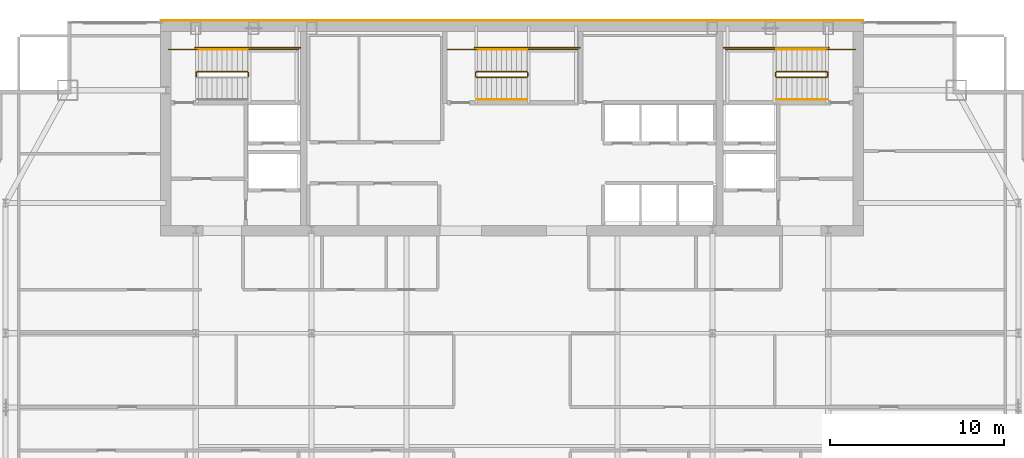
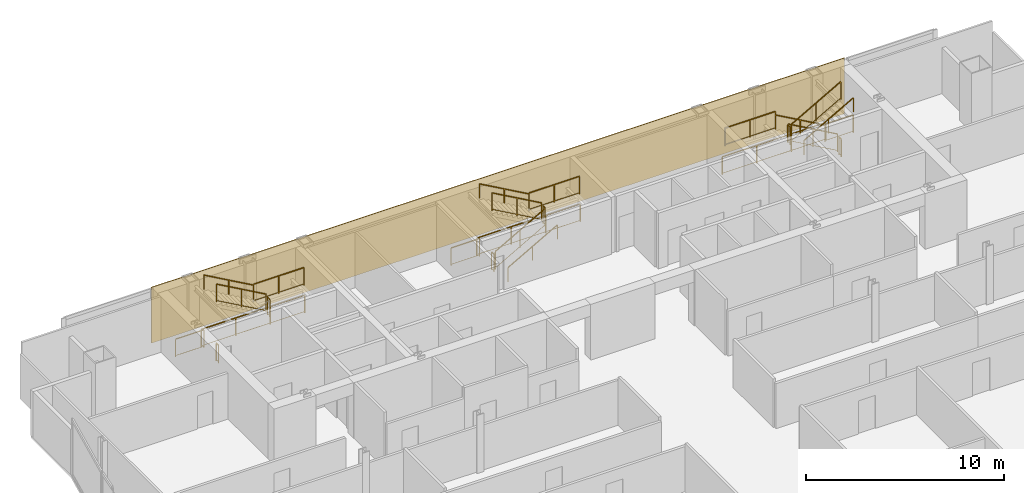
# One storey, part 30 of 30: 25 railings, 1 covering.
"""IFC4 building model written with IfcOpenShell, lengths in metres."""

from ifc_helpers import new_model, si_unit, direction, frame, origin, origin_2d, place, context, subcontext, project, spatial, polyline, rectangle, outline, extrude, material, layer, layer_set, type_object, element, save


model = new_model("IFC4")

# Units and contexts
model_context = context("Model", 3, precision=1e-05, world=origin(), true_north=direction((0.0, 1.0)))
body_context = subcontext(model_context, "Body", "Model", "MODEL_VIEW")
ifc_project = project(units=[si_unit("LENGTHUNIT", "METRE"), si_unit("AREAUNIT", "SQUARE_METRE"), si_unit("VOLUMEUNIT", "CUBIC_METRE"), si_unit("PLANEANGLEUNIT", "RADIAN"), si_unit("MASSUNIT", "GRAM", prefix="KILO")], contexts=[model_context])

# Site, building, storey
site_placement = place(None, origin())
site = spatial("IfcSite", under=ifc_project, at=site_placement, CompositionType="ELEMENT")
building_placement = place(site_placement, origin())
building = spatial("IfcBuilding", under=site, at=building_placement, Name="Khoronbel Lancet Exchange", CompositionType="ELEMENT")
storey_placement = place(building_placement, frame((0.0, 0.0, 217.39990234375)))
storey = spatial("IfcBuildingStorey", under=building, at=storey_placement, Name="L55", CompositionType="ELEMENT", Elevation=217.39990234375)

# Covering
ifc_material_1 = material(Name="Honed Egyptian Limestone & Bronze Rainscreen", Category="masonry")
ifc_layer = layer(ifc_material_1, 0.050048828125, Name="Honed Egyptian Limestone & Bronze Rainscreen")
ifc_layer_set = layer_set([ifc_layer], Name="Honed Egyptian Limestone & Bronze Rainscreen")
covering_type = type_object("IfcCoveringType", Name="COV-CLAD1", PredefinedType="CLADDING", material=ifc_layer_set)
covering_placement = place(storey_placement, origin())
element("IfcCovering", 1, at=covering_placement, inside=storey, type_object=covering_type, Name="Level L55 north rear-core stone and bronze rainscreen cladding", PredefinedType="CLADDING", context=body_context, shape_type="SweptSolid", body=[
    extrude(outline(polyline([(16.199951171875, 53.699951171875), (56.699951171875, 53.699951171875), (56.699951171875, 53.75), (16.199951171875, 53.75), (16.199951171875, 53.699951171875)])), origin(), (0.0, 0.0, 1.0), 3.440185546875),
])

# Railings
ifc_material_2 = material(Name="Painted Steel Balustrade", Category="steel")
railing_type_1 = type_object("IfcRailingType", Name="RL-STG110", PredefinedType="GUARDRAIL", material=ifc_material_2)
railing_1_placement = place(storey_placement, frame((21.25, 50.5, 1.800048828125)))
element("IfcRailing", 2, at=railing_1_placement, inside=storey, type_object=railing_type_1, Name="L55 ST1 stair guard 2", PredefinedType="GUARDRAIL", context=body_context, shape_type="SweptSolid", body=[
    extrude(rectangle(XDim=0.048095703125, YDim=0.048095703125, at=origin_2d()), frame((0.0, 0.0, 1.09619140625), z_axis=(0.0, 1.0, 0.0), x_axis=(-1.0, 0.0, 0.0)), (0.0, 0.0, 1.0), 0.219970703125),
    extrude(rectangle(XDim=0.02392578125, YDim=0.02392578125, at=origin_2d()), frame((0.0, 0.0, 0.080078125), z_axis=(0.0, 1.0, 0.0), x_axis=(-1.0, 0.0, 0.0)), (0.0, 0.0, 1.0), 0.219970703125),
    extrude(rectangle(XDim=0.0419921875, YDim=0.0419921875, at=origin_2d()), origin(), (0.0, 0.0, 1.0), 1.072021484375),
    extrude(rectangle(XDim=0.0419921875, YDim=0.0419921875, at=origin_2d()), frame((0.0, 0.219970703125, 0.0)), (0.0, 0.0, 1.0), 1.072021484375),
])
railing_2_placement = place(storey_placement, frame((21.199951171875, 52.050048828125, 1.800048828125)))
element("IfcRailing", 3, at=railing_2_placement, inside=storey, type_object=railing_type_1, Name="L55 ST1 stair guard 3", PredefinedType="GUARDRAIL", context=body_context, shape_type="SweptSolid", body=[
    extrude(rectangle(XDim=0.048095703125, YDim=0.048095703125, at=origin_2d()), frame((0.0, 0.0, 1.09619140625), z_axis=(1.0, 0.0, 0.0), x_axis=(0.0, 1.0, 0.0)), (0.0, 0.0, 1.0), 2.949951171875),
    extrude(rectangle(XDim=0.02392578125, YDim=0.02392578125, at=origin_2d()), frame((0.0, 0.0, 0.080078125), z_axis=(1.0, 0.0, 0.0), x_axis=(0.0, 1.0, 0.0)), (0.0, 0.0, 1.0), 2.949951171875),
    extrude(rectangle(XDim=0.0419921875, YDim=0.0419921875, at=origin_2d()), origin(), (0.0, 0.0, 1.0), 1.072021484375),
    extrude(rectangle(XDim=0.0419921875, YDim=0.0419921875, at=origin_2d()), frame((1.47509765625, 0.0, 0.0)), (0.0, 0.0, 1.0), 1.072021484375),
    extrude(rectangle(XDim=0.0419921875, YDim=0.0419921875, at=origin_2d()), frame((2.949951171875, 0.0, 0.0)), (0.0, 0.0, 1.0), 1.072021484375),
])
railing_3_placement = place(storey_placement, frame((21.199951171875, 50.77001953125, 1.963623046875)))
element("IfcRailing", 4, at=railing_3_placement, inside=storey, type_object=railing_type_1, Name="L55 ST1 stair guard 4", PredefinedType="GUARDRAIL", context=body_context, shape_type="SweptSolid", body=[
    extrude(rectangle(XDim=0.048095703125, YDim=0.048095703125, at=origin_2d()), frame((0.0, 0.0, 1.09619140625), z_axis=(-0.870897200241, 0.0, 0.491465224214), x_axis=(0.0, -1.0, 0.0)), (0.0, 0.0, 1.0), 3.329833984375),
    extrude(rectangle(XDim=0.02392578125, YDim=0.02392578125, at=origin_2d()), frame((0.0, 0.0, 0.080078125), z_axis=(-0.870897200241, 0.0, 0.491465224214), x_axis=(0.0, -1.0, 0.0)), (0.0, 0.0, 1.0), 3.329833984375),
    extrude(rectangle(XDim=0.0419921875, YDim=0.0419921875, at=origin_2d()), origin(), (0.0, 0.0, 1.0), 1.072021484375),
    extrude(rectangle(XDim=0.0419921875, YDim=0.0419921875, at=origin_2d()), frame((-1.449951171875, 0.0, 0.818359375)), (0.0, 0.0, 1.0), 1.072021484375),
    extrude(rectangle(XDim=0.0419921875, YDim=0.0419921875, at=origin_2d()), frame((-2.89990234375, 0.0, 1.636474609375)), (0.0, 0.0, 1.0), 1.072021484375),
])
railing_4_placement = place(storey_placement, frame((18.25, 50.5, 0.0)))
element("IfcRailing", 5, at=railing_4_placement, inside=storey, type_object=railing_type_1, Name="L55 ST1 stair guard 5", PredefinedType="GUARDRAIL", context=body_context, shape_type="SweptSolid", body=[
    extrude(rectangle(XDim=0.048095703125, YDim=0.048095703125, at=origin_2d()), frame((0.0, 0.0, 1.09619140625), z_axis=(0.0, 1.0, 0.0), x_axis=(-1.0, 0.0, 0.0)), (0.0, 0.0, 1.0), 0.219970703125),
    extrude(rectangle(XDim=0.02392578125, YDim=0.02392578125, at=origin_2d()), frame((0.0, 0.0, 0.080078125), z_axis=(0.0, 1.0, 0.0), x_axis=(-1.0, 0.0, 0.0)), (0.0, 0.0, 1.0), 0.219970703125),
    extrude(rectangle(XDim=0.0419921875, YDim=0.0419921875, at=origin_2d()), origin(), (0.0, 0.0, 1.0), 1.072021484375),
    extrude(rectangle(XDim=0.0419921875, YDim=0.0419921875, at=origin_2d()), frame((0.0, 0.219970703125, 0.0)), (0.0, 0.0, 1.0), 1.072021484375),
])
railing_5_placement = place(storey_placement, frame((16.64990234375, 52.050048828125, 0.0)))
element("IfcRailing", 6, at=railing_5_placement, inside=storey, type_object=railing_type_1, Name="L55 ST1 stair guard 6", PredefinedType="GUARDRAIL", context=body_context, shape_type="SweptSolid", body=[
    extrude(rectangle(XDim=0.048095703125, YDim=0.048095703125, at=origin_2d()), frame((0.0, 0.0, 1.09619140625), z_axis=(1.0, 0.0, 0.0), x_axis=(0.0, 1.0, 0.0)), (0.0, 0.0, 1.0), 1.650146484375),
    extrude(rectangle(XDim=0.02392578125, YDim=0.02392578125, at=origin_2d()), frame((0.0, 0.0, 0.080078125), z_axis=(1.0, 0.0, 0.0), x_axis=(0.0, 1.0, 0.0)), (0.0, 0.0, 1.0), 1.650146484375),
    extrude(rectangle(XDim=0.0419921875, YDim=0.0419921875, at=origin_2d()), origin(), (0.0, 0.0, 1.0), 1.072021484375),
    extrude(rectangle(XDim=0.0419921875, YDim=0.0419921875, at=origin_2d()), frame((1.650146484375, 0.0, 0.0)), (0.0, 0.0, 1.0), 1.072021484375),
])
railing_6_placement = place(storey_placement, frame((18.199951171875, 52.14990234375, 0.0)))
element("IfcRailing", 7, at=railing_6_placement, inside=storey, type_object=railing_type_1, Name="L55 ST1 stair guard 7", PredefinedType="GUARDRAIL", context=body_context, shape_type="SweptSolid", body=[
    extrude(rectangle(XDim=0.048095703125, YDim=0.048095703125, at=origin_2d()), frame((0.0, 0.0, 1.09619140625), z_axis=(1.0, 0.0, 0.0), x_axis=(0.0, 1.0, 0.0)), (0.0, 0.0, 1.0), 6.050048828125),
    extrude(rectangle(XDim=0.02392578125, YDim=0.02392578125, at=origin_2d()), frame((0.0, 0.0, 0.080078125), z_axis=(1.0, 0.0, 0.0), x_axis=(0.0, 1.0, 0.0)), (0.0, 0.0, 1.0), 6.050048828125),
    extrude(rectangle(XDim=0.0419921875, YDim=0.0419921875, at=origin_2d()), origin(), (0.0, 0.0, 1.0), 1.072021484375),
    extrude(rectangle(XDim=0.0419921875, YDim=0.0419921875, at=origin_2d()), frame((2.0166015625, 0.0, 0.0)), (0.0, 0.0, 1.0), 1.072021484375),
    extrude(rectangle(XDim=0.0419921875, YDim=0.0419921875, at=origin_2d()), frame((4.033447265625, 0.0, 0.0)), (0.0, 0.0, 1.0), 1.072021484375),
    extrude(rectangle(XDim=0.0419921875, YDim=0.0419921875, at=origin_2d()), frame((6.050048828125, 0.0, 0.0)), (0.0, 0.0, 1.0), 1.072021484375),
])
railing_7_placement = place(storey_placement, frame((54.60009765625, 50.77001953125, 0.163818359375)))
element("IfcRailing", 8, at=railing_7_placement, inside=storey, type_object=railing_type_1, Name="L55 ST2 stair guard 1", PredefinedType="GUARDRAIL", context=body_context, shape_type="SweptSolid", body=[
    extrude(rectangle(XDim=0.048095703125, YDim=0.048095703125, at=origin_2d()), frame((0.0, 0.0, 1.09619140625), z_axis=(-0.870946286338, 0.0, 0.49137823142), x_axis=(0.0, -1.0, 0.0)), (0.0, 0.0, 1.0), 3.329833984375),
    extrude(rectangle(XDim=0.02392578125, YDim=0.02392578125, at=origin_2d()), frame((0.0, 0.0, 0.080078125), z_axis=(-0.870946286338, 0.0, 0.49137823142), x_axis=(0.0, -1.0, 0.0)), (0.0, 0.0, 1.0), 3.329833984375),
    extrude(rectangle(XDim=0.0419921875, YDim=0.0419921875, at=origin_2d()), origin(), (0.0, 0.0, 1.0), 1.072021484375),
    extrude(rectangle(XDim=0.0419921875, YDim=0.0419921875, at=origin_2d()), frame((-1.4501953125, 0.0, 0.818115234375)), (0.0, 0.0, 1.0), 1.072021484375),
    extrude(rectangle(XDim=0.0419921875, YDim=0.0419921875, at=origin_2d()), frame((-2.900146484375, 0.0, 1.63623046875)), (0.0, 0.0, 1.0), 1.072021484375),
])
railing_8_placement = place(storey_placement, frame((51.64990234375, 50.719970703125, 1.800048828125)))
element("IfcRailing", 9, at=railing_8_placement, inside=storey, type_object=railing_type_1, Name="L55 ST2 stair guard 2", PredefinedType="GUARDRAIL", context=body_context, shape_type="SweptSolid", body=[
    extrude(rectangle(XDim=0.048095703125, YDim=0.048095703125, at=origin_2d()), frame((0.0, 0.0, 1.09619140625), z_axis=(0.0, -1.0, 0.0), x_axis=(1.0, 0.0, 0.0)), (0.0, 0.0, 1.0), 0.219970703125),
    extrude(rectangle(XDim=0.02392578125, YDim=0.02392578125, at=origin_2d()), frame((0.0, 0.0, 0.080078125), z_axis=(0.0, -1.0, 0.0), x_axis=(1.0, 0.0, 0.0)), (0.0, 0.0, 1.0), 0.219970703125),
    extrude(rectangle(XDim=0.0419921875, YDim=0.0419921875, at=origin_2d()), origin(), (0.0, 0.0, 1.0), 1.072021484375),
    extrude(rectangle(XDim=0.0419921875, YDim=0.0419921875, at=origin_2d()), frame((0.0, -0.219970703125, 0.0)), (0.0, 0.0, 1.0), 1.072021484375),
])
railing_9_placement = place(storey_placement, frame((51.699951171875, 52.050048828125, 1.800048828125)))
element("IfcRailing", 10, at=railing_9_placement, inside=storey, type_object=railing_type_1, Name="L55 ST2 stair guard 3", PredefinedType="GUARDRAIL", context=body_context, shape_type="SweptSolid", body=[
    extrude(rectangle(XDim=0.048095703125, YDim=0.048095703125, at=origin_2d()), frame((0.0, 0.0, 1.09619140625), z_axis=(-1.0, 0.0, 0.0), x_axis=(0.0, -1.0, 0.0)), (0.0, 0.0, 1.0), 2.949951171875),
    extrude(rectangle(XDim=0.02392578125, YDim=0.02392578125, at=origin_2d()), frame((0.0, 0.0, 0.080078125), z_axis=(-1.0, 0.0, 0.0), x_axis=(0.0, -1.0, 0.0)), (0.0, 0.0, 1.0), 2.949951171875),
    extrude(rectangle(XDim=0.0419921875, YDim=0.0419921875, at=origin_2d()), origin(), (0.0, 0.0, 1.0), 1.072021484375),
    extrude(rectangle(XDim=0.0419921875, YDim=0.0419921875, at=origin_2d()), frame((-1.47509765625, 0.0, 0.0)), (0.0, 0.0, 1.0), 1.072021484375),
    extrude(rectangle(XDim=0.0419921875, YDim=0.0419921875, at=origin_2d()), frame((-2.949951171875, 0.0, 0.0)), (0.0, 0.0, 1.0), 1.072021484375),
])
railing_10_placement = place(storey_placement, frame((51.699951171875, 50.449951171875, 1.963623046875)))
element("IfcRailing", 11, at=railing_10_placement, inside=storey, type_object=railing_type_1, Name="L55 ST2 stair guard 4", PredefinedType="GUARDRAIL", context=body_context, shape_type="SweptSolid", body=[
    extrude(rectangle(XDim=0.048095703125, YDim=0.048095703125, at=origin_2d()), frame((0.0, 0.0, 1.09619140625), z_axis=(0.870914908162, 0.0, 0.491433843708), x_axis=(0.0, 1.0, 0.0)), (0.0, 0.0, 1.0), 3.330078125),
    extrude(rectangle(XDim=0.02392578125, YDim=0.02392578125, at=origin_2d()), frame((0.0, 0.0, 0.080078125), z_axis=(0.870914908162, 0.0, 0.491433843708), x_axis=(0.0, 1.0, 0.0)), (0.0, 0.0, 1.0), 3.330078125),
    extrude(rectangle(XDim=0.0419921875, YDim=0.0419921875, at=origin_2d()), origin(), (0.0, 0.0, 1.0), 1.072021484375),
    extrude(rectangle(XDim=0.0419921875, YDim=0.0419921875, at=origin_2d()), frame((1.4501953125, 0.0, 0.818359375)), (0.0, 0.0, 1.0), 1.072021484375),
    extrude(rectangle(XDim=0.0419921875, YDim=0.0419921875, at=origin_2d()), frame((2.900146484375, 0.0, 1.636474609375)), (0.0, 0.0, 1.0), 1.072021484375),
])
railing_11_placement = place(storey_placement, frame((54.64990234375, 50.719970703125, 0.0)))
element("IfcRailing", 12, at=railing_11_placement, inside=storey, type_object=railing_type_1, Name="L55 ST2 stair guard 5", PredefinedType="GUARDRAIL", context=body_context, shape_type="SweptSolid", body=[
    extrude(rectangle(XDim=0.048095703125, YDim=0.048095703125, at=origin_2d()), frame((0.0, 0.0, 1.09619140625), z_axis=(0.0, -1.0, 0.0), x_axis=(1.0, 0.0, 0.0)), (0.0, 0.0, 1.0), 0.219970703125),
    extrude(rectangle(XDim=0.02392578125, YDim=0.02392578125, at=origin_2d()), frame((0.0, 0.0, 0.080078125), z_axis=(0.0, -1.0, 0.0), x_axis=(1.0, 0.0, 0.0)), (0.0, 0.0, 1.0), 0.219970703125),
    extrude(rectangle(XDim=0.0419921875, YDim=0.0419921875, at=origin_2d()), origin(), (0.0, 0.0, 1.0), 1.072021484375),
    extrude(rectangle(XDim=0.0419921875, YDim=0.0419921875, at=origin_2d()), frame((0.0, -0.219970703125, 0.0)), (0.0, 0.0, 1.0), 1.072021484375),
])
railing_12_placement = place(storey_placement, frame((56.25, 52.050048828125, 0.0)))
element("IfcRailing", 13, at=railing_12_placement, inside=storey, type_object=railing_type_1, Name="L55 ST2 stair guard 6", PredefinedType="GUARDRAIL", context=body_context, shape_type="SweptSolid", body=[
    extrude(rectangle(XDim=0.048095703125, YDim=0.048095703125, at=origin_2d()), frame((0.0, 0.0, 1.09619140625), z_axis=(-1.0, 0.0, 0.0), x_axis=(0.0, -1.0, 0.0)), (0.0, 0.0, 1.0), 1.64990234375),
    extrude(rectangle(XDim=0.02392578125, YDim=0.02392578125, at=origin_2d()), frame((0.0, 0.0, 0.080078125), z_axis=(-1.0, 0.0, 0.0), x_axis=(0.0, -1.0, 0.0)), (0.0, 0.0, 1.0), 1.64990234375),
    extrude(rectangle(XDim=0.0419921875, YDim=0.0419921875, at=origin_2d()), origin(), (0.0, 0.0, 1.0), 1.072021484375),
    extrude(rectangle(XDim=0.0419921875, YDim=0.0419921875, at=origin_2d()), frame((-1.64990234375, 0.0, 0.0)), (0.0, 0.0, 1.0), 1.072021484375),
])
railing_13_placement = place(storey_placement, frame((54.699951171875, 52.14990234375, 0.0)))
element("IfcRailing", 14, at=railing_13_placement, inside=storey, type_object=railing_type_1, Name="L55 ST2 stair guard 7", PredefinedType="GUARDRAIL", context=body_context, shape_type="SweptSolid", body=[
    extrude(rectangle(XDim=0.048095703125, YDim=0.048095703125, at=origin_2d()), frame((0.0, 0.0, 1.09619140625), z_axis=(-1.0, 0.0, 0.0), x_axis=(0.0, -1.0, 0.0)), (0.0, 0.0, 1.0), 6.050048828125),
    extrude(rectangle(XDim=0.02392578125, YDim=0.02392578125, at=origin_2d()), frame((0.0, 0.0, 0.080078125), z_axis=(-1.0, 0.0, 0.0), x_axis=(0.0, -1.0, 0.0)), (0.0, 0.0, 1.0), 6.050048828125),
    extrude(rectangle(XDim=0.0419921875, YDim=0.0419921875, at=origin_2d()), origin(), (0.0, 0.0, 1.0), 1.072021484375),
    extrude(rectangle(XDim=0.0419921875, YDim=0.0419921875, at=origin_2d()), frame((-2.0166015625, 0.0, 0.0)), (0.0, 0.0, 1.0), 1.072021484375),
    extrude(rectangle(XDim=0.0419921875, YDim=0.0419921875, at=origin_2d()), frame((-4.033447265625, 0.0, 0.0)), (0.0, 0.0, 1.0), 1.072021484375),
    extrude(rectangle(XDim=0.0419921875, YDim=0.0419921875, at=origin_2d()), frame((-6.050048828125, 0.0, 0.0)), (0.0, 0.0, 1.0), 1.072021484375),
])
railing_14_placement = place(storey_placement, frame((34.39990234375, 50.449951171875, 0.163818359375)))
element("IfcRailing", 15, at=railing_14_placement, inside=storey, type_object=railing_type_1, Name="L55 ST3 stair guard 1", PredefinedType="GUARDRAIL", context=body_context, shape_type="SweptSolid", body=[
    extrude(rectangle(XDim=0.048095703125, YDim=0.048095703125, at=origin_2d()), frame((0.0, 0.0, 1.09619140625), z_axis=(0.870946286338, 0.0, 0.49137823142), x_axis=(0.0, 1.0, 0.0)), (0.0, 0.0, 1.0), 3.329833984375),
    extrude(rectangle(XDim=0.02392578125, YDim=0.02392578125, at=origin_2d()), frame((0.0, 0.0, 0.080078125), z_axis=(0.870946286338, 0.0, 0.49137823142), x_axis=(0.0, 1.0, 0.0)), (0.0, 0.0, 1.0), 3.329833984375),
    extrude(rectangle(XDim=0.0419921875, YDim=0.0419921875, at=origin_2d()), origin(), (0.0, 0.0, 1.0), 1.072021484375),
    extrude(rectangle(XDim=0.0419921875, YDim=0.0419921875, at=origin_2d()), frame((1.4501953125, 0.0, 0.818115234375)), (0.0, 0.0, 1.0), 1.072021484375),
    extrude(rectangle(XDim=0.0419921875, YDim=0.0419921875, at=origin_2d()), frame((2.900146484375, 0.0, 1.63623046875)), (0.0, 0.0, 1.0), 1.072021484375),
])
railing_15_placement = place(storey_placement, frame((37.35009765625, 50.5, 1.800048828125)))
element("IfcRailing", 16, at=railing_15_placement, inside=storey, type_object=railing_type_1, Name="L55 ST3 stair guard 2", PredefinedType="GUARDRAIL", context=body_context, shape_type="SweptSolid", body=[
    extrude(rectangle(XDim=0.048095703125, YDim=0.048095703125, at=origin_2d()), frame((0.0, 0.0, 1.09619140625), z_axis=(0.0, 1.0, 0.0), x_axis=(-1.0, 0.0, 0.0)), (0.0, 0.0, 1.0), 0.219970703125),
    extrude(rectangle(XDim=0.02392578125, YDim=0.02392578125, at=origin_2d()), frame((0.0, 0.0, 0.080078125), z_axis=(0.0, 1.0, 0.0), x_axis=(-1.0, 0.0, 0.0)), (0.0, 0.0, 1.0), 0.219970703125),
    extrude(rectangle(XDim=0.0419921875, YDim=0.0419921875, at=origin_2d()), origin(), (0.0, 0.0, 1.0), 1.072021484375),
    extrude(rectangle(XDim=0.0419921875, YDim=0.0419921875, at=origin_2d()), frame((0.0, 0.219970703125, 0.0)), (0.0, 0.0, 1.0), 1.072021484375),
])
railing_16_placement = place(storey_placement, frame((37.300048828125, 52.050048828125, 1.800048828125)))
element("IfcRailing", 17, at=railing_16_placement, inside=storey, type_object=railing_type_1, Name="L55 ST3 stair guard 3", PredefinedType="GUARDRAIL", context=body_context, shape_type="SweptSolid", body=[
    extrude(rectangle(XDim=0.048095703125, YDim=0.048095703125, at=origin_2d()), frame((0.0, 0.0, 1.09619140625), z_axis=(1.0, 0.0, 0.0), x_axis=(0.0, 1.0, 0.0)), (0.0, 0.0, 1.0), 2.949951171875),
    extrude(rectangle(XDim=0.02392578125, YDim=0.02392578125, at=origin_2d()), frame((0.0, 0.0, 0.080078125), z_axis=(1.0, 0.0, 0.0), x_axis=(0.0, 1.0, 0.0)), (0.0, 0.0, 1.0), 2.949951171875),
    extrude(rectangle(XDim=0.0419921875, YDim=0.0419921875, at=origin_2d()), origin(), (0.0, 0.0, 1.0), 1.072021484375),
    extrude(rectangle(XDim=0.0419921875, YDim=0.0419921875, at=origin_2d()), frame((1.47509765625, 0.0, 0.0)), (0.0, 0.0, 1.0), 1.072021484375),
    extrude(rectangle(XDim=0.0419921875, YDim=0.0419921875, at=origin_2d()), frame((2.949951171875, 0.0, 0.0)), (0.0, 0.0, 1.0), 1.072021484375),
])
railing_17_placement = place(storey_placement, frame((37.300048828125, 50.77001953125, 1.963623046875)))
element("IfcRailing", 18, at=railing_17_placement, inside=storey, type_object=railing_type_1, Name="L55 ST3 stair guard 4", PredefinedType="GUARDRAIL", context=body_context, shape_type="SweptSolid", body=[
    extrude(rectangle(XDim=0.048095703125, YDim=0.048095703125, at=origin_2d()), frame((0.0, 0.0, 1.09619140625), z_axis=(-0.870914908162, 0.0, 0.491433843708), x_axis=(0.0, -1.0, 0.0)), (0.0, 0.0, 1.0), 3.330078125),
    extrude(rectangle(XDim=0.02392578125, YDim=0.02392578125, at=origin_2d()), frame((0.0, 0.0, 0.080078125), z_axis=(-0.870914908162, 0.0, 0.491433843708), x_axis=(0.0, -1.0, 0.0)), (0.0, 0.0, 1.0), 3.330078125),
    extrude(rectangle(XDim=0.0419921875, YDim=0.0419921875, at=origin_2d()), origin(), (0.0, 0.0, 1.0), 1.072021484375),
    extrude(rectangle(XDim=0.0419921875, YDim=0.0419921875, at=origin_2d()), frame((-1.4501953125, 0.0, 0.818359375)), (0.0, 0.0, 1.0), 1.072021484375),
    extrude(rectangle(XDim=0.0419921875, YDim=0.0419921875, at=origin_2d()), frame((-2.900146484375, 0.0, 1.636474609375)), (0.0, 0.0, 1.0), 1.072021484375),
])
railing_18_placement = place(storey_placement, frame((34.35009765625, 50.5, 0.0)))
element("IfcRailing", 19, at=railing_18_placement, inside=storey, type_object=railing_type_1, Name="L55 ST3 stair guard 5", PredefinedType="GUARDRAIL", context=body_context, shape_type="SweptSolid", body=[
    extrude(rectangle(XDim=0.048095703125, YDim=0.048095703125, at=origin_2d()), frame((0.0, 0.0, 1.09619140625), z_axis=(0.0, 1.0, 0.0), x_axis=(-1.0, 0.0, 0.0)), (0.0, 0.0, 1.0), 0.219970703125),
    extrude(rectangle(XDim=0.02392578125, YDim=0.02392578125, at=origin_2d()), frame((0.0, 0.0, 0.080078125), z_axis=(0.0, 1.0, 0.0), x_axis=(-1.0, 0.0, 0.0)), (0.0, 0.0, 1.0), 0.219970703125),
    extrude(rectangle(XDim=0.0419921875, YDim=0.0419921875, at=origin_2d()), origin(), (0.0, 0.0, 1.0), 1.072021484375),
    extrude(rectangle(XDim=0.0419921875, YDim=0.0419921875, at=origin_2d()), frame((0.0, 0.219970703125, 0.0)), (0.0, 0.0, 1.0), 1.072021484375),
])
railing_19_placement = place(storey_placement, frame((32.75, 52.050048828125, 0.0)))
element("IfcRailing", 20, at=railing_19_placement, inside=storey, type_object=railing_type_1, Name="L55 ST3 stair guard 6", PredefinedType="GUARDRAIL", context=body_context, shape_type="SweptSolid", body=[
    extrude(rectangle(XDim=0.048095703125, YDim=0.048095703125, at=origin_2d()), frame((0.0, 0.0, 1.09619140625), z_axis=(1.0, 0.0, 0.0), x_axis=(0.0, 1.0, 0.0)), (0.0, 0.0, 1.0), 1.64990234375),
    extrude(rectangle(XDim=0.02392578125, YDim=0.02392578125, at=origin_2d()), frame((0.0, 0.0, 0.080078125), z_axis=(1.0, 0.0, 0.0), x_axis=(0.0, 1.0, 0.0)), (0.0, 0.0, 1.0), 1.64990234375),
    extrude(rectangle(XDim=0.0419921875, YDim=0.0419921875, at=origin_2d()), origin(), (0.0, 0.0, 1.0), 1.072021484375),
    extrude(rectangle(XDim=0.0419921875, YDim=0.0419921875, at=origin_2d()), frame((1.64990234375, 0.0, 0.0)), (0.0, 0.0, 1.0), 1.072021484375),
])
railing_20_placement = place(storey_placement, frame((34.300048828125, 52.14990234375, 0.0)))
element("IfcRailing", 21, at=railing_20_placement, inside=storey, type_object=railing_type_1, Name="L55 ST3 stair guard 7", PredefinedType="GUARDRAIL", context=body_context, shape_type="SweptSolid", body=[
    extrude(rectangle(XDim=0.048095703125, YDim=0.048095703125, at=origin_2d()), frame((0.0, 0.0, 1.09619140625), z_axis=(1.0, 0.0, 0.0), x_axis=(0.0, 1.0, 0.0)), (0.0, 0.0, 1.0), 6.050048828125),
    extrude(rectangle(XDim=0.02392578125, YDim=0.02392578125, at=origin_2d()), frame((0.0, 0.0, 0.080078125), z_axis=(1.0, 0.0, 0.0), x_axis=(0.0, 1.0, 0.0)), (0.0, 0.0, 1.0), 6.050048828125),
    extrude(rectangle(XDim=0.0419921875, YDim=0.0419921875, at=origin_2d()), origin(), (0.0, 0.0, 1.0), 1.072021484375),
    extrude(rectangle(XDim=0.0419921875, YDim=0.0419921875, at=origin_2d()), frame((2.0166015625, 0.0, 0.0)), (0.0, 0.0, 1.0), 1.072021484375),
    extrude(rectangle(XDim=0.0419921875, YDim=0.0419921875, at=origin_2d()), frame((4.033447265625, 0.0, 0.0)), (0.0, 0.0, 1.0), 1.072021484375),
    extrude(rectangle(XDim=0.0419921875, YDim=0.0419921875, at=origin_2d()), frame((6.050048828125, 0.0, 0.0)), (0.0, 0.0, 1.0), 1.072021484375),
])
ifc_material_3 = material(Name="Brushed Stainless Steel 316", Category="steel")
railing_type_2 = type_object("IfcRailingType", Name="RL-STH92", PredefinedType="HANDRAIL", material=ifc_material_3)
railing_21_placement = place(storey_placement, frame((21.199951171875, 52.050048828125, 1.963623046875)))
element("IfcRailing", 22, at=railing_21_placement, inside=storey, type_object=railing_type_2, Name="L55 ST1 stair handrail 2", PredefinedType="HANDRAIL", context=body_context, shape_type="SweptSolid", body=[
    extrude(rectangle(XDim=0.048095703125, YDim=0.048095703125, at=origin_2d()), frame((0.0, 0.0, 0.8759765625), z_axis=(-0.870897200241, 0.0, 0.491465224214), x_axis=(0.0, -1.0, 0.0)), (0.0, 0.0, 1.0), 3.329833984375),
    extrude(rectangle(XDim=0.0419921875, YDim=0.0419921875, at=origin_2d()), origin(), (0.0, 0.0, 1.0), 0.851806640625),
    extrude(rectangle(XDim=0.0419921875, YDim=0.0419921875, at=origin_2d()), frame((-1.449951171875, 0.0, 0.818359375)), (0.0, 0.0, 1.0), 0.851806640625),
    extrude(rectangle(XDim=0.0419921875, YDim=0.0419921875, at=origin_2d()), frame((-2.89990234375, 0.0, 1.636474609375)), (0.0, 0.0, 1.0), 0.851806640625),
])
railing_22_placement = place(storey_placement, frame((54.60009765625, 52.050048828125, 0.163818359375)))
element("IfcRailing", 23, at=railing_22_placement, inside=storey, type_object=railing_type_2, Name="L55 ST2 stair handrail 1", PredefinedType="HANDRAIL", context=body_context, shape_type="SweptSolid", body=[
    extrude(rectangle(XDim=0.048095703125, YDim=0.048095703125, at=origin_2d()), frame((0.0, 0.0, 0.8759765625), z_axis=(-0.870946286338, 0.0, 0.49137823142), x_axis=(0.0, -1.0, 0.0)), (0.0, 0.0, 1.0), 3.329833984375),
    extrude(rectangle(XDim=0.0419921875, YDim=0.0419921875, at=origin_2d()), origin(), (0.0, 0.0, 1.0), 0.851806640625),
    extrude(rectangle(XDim=0.0419921875, YDim=0.0419921875, at=origin_2d()), frame((-1.4501953125, 0.0, 0.818115234375)), (0.0, 0.0, 1.0), 0.851806640625),
    extrude(rectangle(XDim=0.0419921875, YDim=0.0419921875, at=origin_2d()), frame((-2.900146484375, 0.0, 1.63623046875)), (0.0, 0.0, 1.0), 0.851806640625),
])
railing_23_placement = place(storey_placement, frame((51.699951171875, 49.169921875, 1.963623046875)))
element("IfcRailing", 24, at=railing_23_placement, inside=storey, type_object=railing_type_2, Name="L55 ST2 stair handrail 2", PredefinedType="HANDRAIL", context=body_context, shape_type="SweptSolid", body=[
    extrude(rectangle(XDim=0.048095703125, YDim=0.048095703125, at=origin_2d()), frame((0.0, 0.0, 0.8759765625), z_axis=(0.870914908162, 0.0, 0.491433843708), x_axis=(0.0, 1.0, 0.0)), (0.0, 0.0, 1.0), 3.330078125),
    extrude(rectangle(XDim=0.0419921875, YDim=0.0419921875, at=origin_2d()), origin(), (0.0, 0.0, 1.0), 0.851806640625),
    extrude(rectangle(XDim=0.0419921875, YDim=0.0419921875, at=origin_2d()), frame((1.4501953125, 0.0, 0.818359375)), (0.0, 0.0, 1.0), 0.851806640625),
    extrude(rectangle(XDim=0.0419921875, YDim=0.0419921875, at=origin_2d()), frame((2.900146484375, 0.0, 1.636474609375)), (0.0, 0.0, 1.0), 0.851806640625),
])
railing_24_placement = place(storey_placement, frame((34.39990234375, 49.169921875, 0.163818359375)))
element("IfcRailing", 25, at=railing_24_placement, inside=storey, type_object=railing_type_2, Name="L55 ST3 stair handrail 1", PredefinedType="HANDRAIL", context=body_context, shape_type="SweptSolid", body=[
    extrude(rectangle(XDim=0.048095703125, YDim=0.048095703125, at=origin_2d()), frame((0.0, 0.0, 0.8759765625), z_axis=(0.870946286338, 0.0, 0.49137823142), x_axis=(0.0, 1.0, 0.0)), (0.0, 0.0, 1.0), 3.329833984375),
    extrude(rectangle(XDim=0.0419921875, YDim=0.0419921875, at=origin_2d()), origin(), (0.0, 0.0, 1.0), 0.851806640625),
    extrude(rectangle(XDim=0.0419921875, YDim=0.0419921875, at=origin_2d()), frame((1.4501953125, 0.0, 0.818115234375)), (0.0, 0.0, 1.0), 0.851806640625),
    extrude(rectangle(XDim=0.0419921875, YDim=0.0419921875, at=origin_2d()), frame((2.900146484375, 0.0, 1.63623046875)), (0.0, 0.0, 1.0), 0.851806640625),
])
railing_25_placement = place(storey_placement, frame((37.300048828125, 52.050048828125, 1.963623046875)))
element("IfcRailing", 26, at=railing_25_placement, inside=storey, type_object=railing_type_2, Name="L55 ST3 stair handrail 2", PredefinedType="HANDRAIL", context=body_context, shape_type="SweptSolid", body=[
    extrude(rectangle(XDim=0.048095703125, YDim=0.048095703125, at=origin_2d()), frame((0.0, 0.0, 0.8759765625), z_axis=(-0.870914908162, 0.0, 0.491433843708), x_axis=(0.0, -1.0, 0.0)), (0.0, 0.0, 1.0), 3.330078125),
    extrude(rectangle(XDim=0.0419921875, YDim=0.0419921875, at=origin_2d()), origin(), (0.0, 0.0, 1.0), 0.851806640625),
    extrude(rectangle(XDim=0.0419921875, YDim=0.0419921875, at=origin_2d()), frame((-1.4501953125, 0.0, 0.818359375)), (0.0, 0.0, 1.0), 0.851806640625),
    extrude(rectangle(XDim=0.0419921875, YDim=0.0419921875, at=origin_2d()), frame((-2.900146484375, 0.0, 1.636474609375)), (0.0, 0.0, 1.0), 0.851806640625),
])

save(model, "model.ifc")
